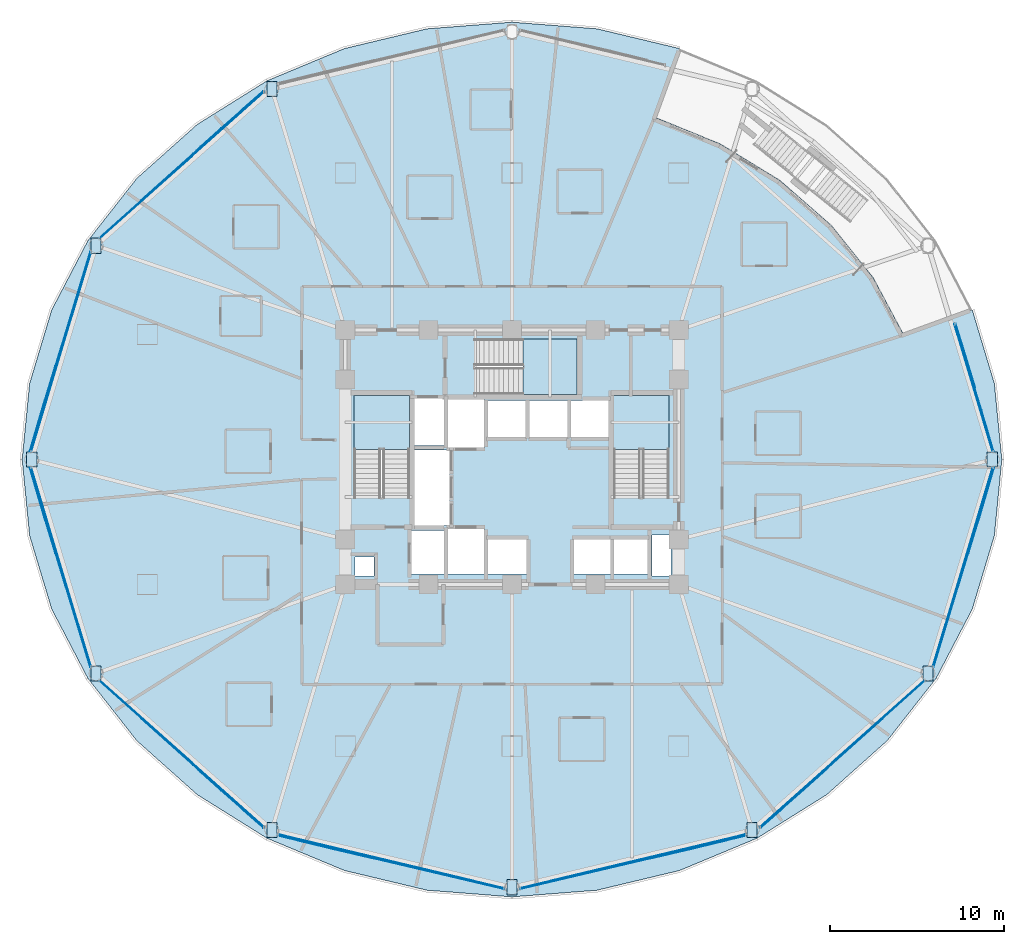
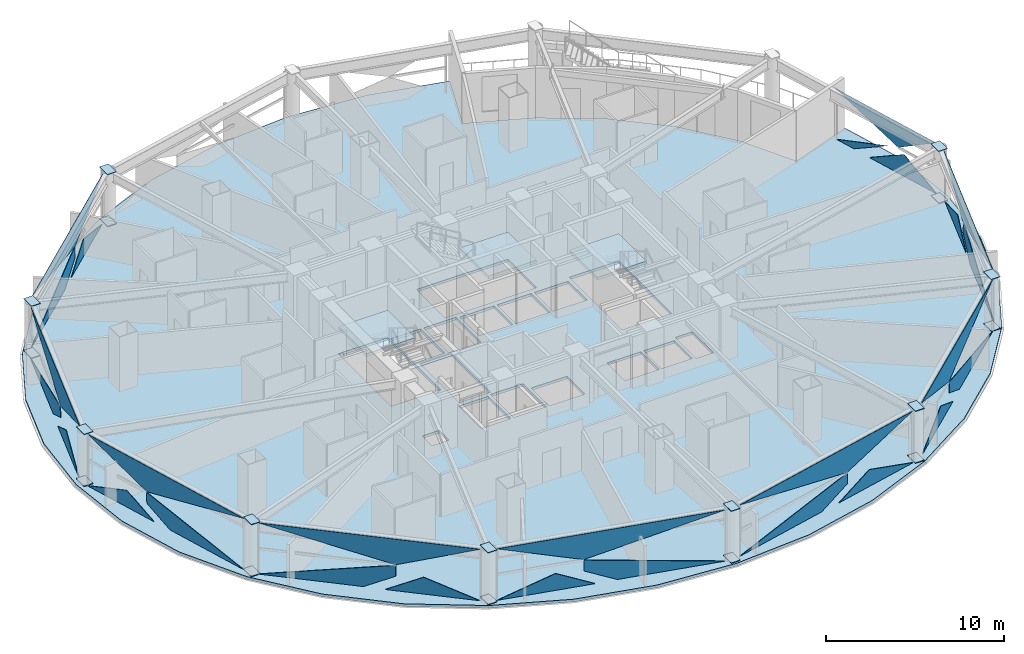
# One storey, part 22 of 33: 45 plates, 4 slabs, 12 elements without a shape of their own.
"""IFC4 building model written with IfcOpenShell, lengths in metres."""

from ifc_helpers import new_model, si_unit, direction, frame, origin, place, context, subcontext, project, spatial, polyline, outline, extrude, material, layer, layer_set, type_object, element, aggregate, save


model = new_model("IFC4")

# Units and contexts
model_context = context("Model", 3, precision=1e-05, world=origin(), true_north=direction((0.0, 1.0)))
body_context = subcontext(model_context, "Body", "Model", "MODEL_VIEW")
ifc_project = project(units=[si_unit("LENGTHUNIT", "METRE"), si_unit("AREAUNIT", "SQUARE_METRE"), si_unit("VOLUMEUNIT", "CUBIC_METRE"), si_unit("PLANEANGLEUNIT", "RADIAN"), si_unit("MASSUNIT", "GRAM", prefix="KILO")], contexts=[model_context])

# Site, building, storey
site_placement = place(None, origin())
site = spatial("IfcSite", under=ifc_project, at=site_placement, CompositionType="ELEMENT")
building_placement = place(site_placement, origin())
building = spatial("IfcBuilding", under=site, at=building_placement, Name="Vantalir Tower", CompositionType="ELEMENT")
storey_placement = place(building_placement, frame((0.0, 0.0, 68.25)))
storey = spatial("IfcBuildingStorey", under=building, at=storey_placement, Name="L16", CompositionType="ELEMENT", Elevation=68.25)

# Curtain wall, plates
ifc_material_1 = material(Name="Champagne-silver PVDF aluminium and double-silver Low-E glass", Category="aluminium")
ifc_layer_1 = layer(ifc_material_1, 0.18994140625)
ifc_layer_set_1 = layer_set([ifc_layer_1], Name="Champagne-silver PVDF aluminium and double-silver Low-E glass")
curtain_wall_type = type_object("IfcCurtainWallType", Name="CW-DIAMOND-Z1", PredefinedType="USERDEFINED", material=ifc_layer_set_1)
curtain_wall_1_placement = place(storey_placement, origin())
curtain_wall_1 = element("IfcCurtainWall", 1, at=curtain_wall_1_placement, inside=storey, type_object=curtain_wall_type, Name="L16 Quilted Pyramid-Diamond Curtain Wall S01", ObjectType="UNITISED CURTAIN WALL", PredefinedType="USERDEFINED")
ifc_material_2 = material(Name="Double-silver Low-E laminated glass IGU", Category="glass")
ifc_layer_2 = layer(ifc_material_2, 0.028076171875)
ifc_layer_set_2 = layer_set([ifc_layer_2], Name="Double-silver Low-E laminated glass IGU")
plate_type_1 = type_object("IfcPlateType", Name="CWP-IGU-28", PredefinedType="CURTAIN_PANEL", material=ifc_layer_set_2)
plate_1_placement = place(storey_placement, frame((59.200439453125, 25.46435546875, 0.04736328125), z_axis=(-0.95758235496, -0.287836918092, 0.013636057083), x_axis=(-0.287864305048, 0.957671206419, -4.7707044e-05)))
plate_1 = element("IfcPlate", 2, at=plate_1_placement, type_object=plate_type_1, Name="CW-L16-S01 Pyramid Diamond Facet 1L", PredefinedType="CURTAIN_PANEL", context=body_context, shape_type="SweptSolid", body=[
    extrude(outline(polyline([(0.0, 0.0), (5.1174963530307105, -1.5178830414797062e-18), (2.4741561968814594, -1.4646096776913675), (0.0, 0.0)])), origin(), (0.0, 0.0, -1.0), 0.028076171875),
])
plate_2_placement = place(storey_placement, frame((57.407470703125, 31.540283203125, 0.046630859375), z_axis=(-0.957612979386, -0.287723165825, 0.013883859633), x_axis=(-0.287750900817, 0.957705288217, 0.0)))
plate_2 = element("IfcPlate", 3, at=plate_2_placement, type_object=plate_type_1, Name="CW-L16-S01 Pyramid Diamond Facet 1L Infill Light", PredefinedType="CURTAIN_PANEL", context=body_context, shape_type="SweptSolid", body=[
    extrude(outline(polyline([(0.0, 0.0), (1.3337545127041526, -1.734723475976807e-18), (-2.5272807636111683, -1.4005256152555619), (0.0, 0.0)])), origin(), (0.0, 0.0, -1.0), 0.028076171875),
])
plate_3_placement = place(storey_placement, frame((56.992919921875, 32.808349609375, 3.52294921875), z_axis=(0.957582322119, 0.287837242564, 0.013631513448), x_axis=(0.287864819696, -0.957671050793, -6.367282e-05)))
plate_3 = element("IfcPlate", 4, at=plate_3_placement, type_object=plate_type_1, Name="CW-L16-S01 Pyramid Diamond Facet 2U", PredefinedType="CURTAIN_PANEL", context=body_context, shape_type="SweptSolid", body=[
    extrude(outline(polyline([(0.0, 0.0), (7.6685978285996415, -7.48099499014998e-18), (4.755277029606987, 1.7244668226657598), (0.0, 0.0)])), origin(), (0.0, 0.0, -1.0), 0.028076171875),
])
aggregate(curtain_wall_1, [plate_1, plate_2, plate_3])

curtain_wall_2_placement = place(storey_placement, origin())
curtain_wall_2 = element("IfcCurtainWall", 5, at=curtain_wall_2_placement, inside=storey, type_object=curtain_wall_type, Name="L16 Quilted Pyramid-Diamond Curtain Wall S05", ObjectType="UNITISED CURTAIN WALL", PredefinedType="USERDEFINED")
plate_4_placement = place(storey_placement, frame((12.233642578125, 41.7275390625, 0.04638671875), z_axis=(0.665423666993, -0.746338988265, 0.013764374386), x_axis=(-0.746409324465, -0.66548712887, -4.0735657e-05)))
plate_4 = element("IfcPlate", 6, at=plate_4_placement, type_object=plate_type_1, Name="CW-L16-S05 Pyramid Diamond Facet 1L", PredefinedType="CURTAIN_PANEL", context=body_context, shape_type="SweptSolid", body=[
    extrude(outline(polyline([(0.0, 0.0), (6.004361291055474, 1.0842021724855044e-19), (-1.8509924539524616, -1.7273831629474516), (-1.8508651218903172, -0.9756025133554906), (0.0, 0.0)])), origin(), (0.0, 0.0, -1.0), 0.028076171875),
])
plate_5_placement = place(storey_placement, frame((17.19677734375, 46.1953125, 0.046142578125), z_axis=(0.665431108125, -0.746333595578, 0.013696877402), x_axis=(-0.74640320129, -0.665493996268, -4.5099891e-05)))
plate_5 = element("IfcPlate", 7, at=plate_5_placement, type_object=plate_type_1, Name="CW-L16-S05 Pyramid Diamond Facet 1L Infill Light", PredefinedType="CURTAIN_PANEL", context=body_context, shape_type="SweptSolid", body=[
    extrude(outline(polyline([(0.0, 0.0), (5.413330672703679, 3.903127820947816e-18), (3.2243671814631387, -1.1540622722201748), (0.0, 0.0)])), origin(), (0.0, 0.0, -1.0), 0.028076171875),
])
plate_6_placement = place(storey_placement, frame((7.751953125, 37.731689453125, 3.523681640625), z_axis=(-0.665419027123, 0.746342264734, 0.013810945468), x_axis=(0.746413277318, 0.665482696299, -1.9250852e-05)))
plate_6 = element("IfcPlate", 8, at=plate_6_placement, type_object=plate_type_1, Name="CW-L16-S05 Pyramid Diamond Facet 2U", PredefinedType="CURTAIN_PANEL", context=body_context, shape_type="SweptSolid", body=[
    extrude(outline(polyline([(0.0, 0.0), (12.682068688732114, -1.0842021724855044e-17), (7.8553164879869835, 1.7273084438367277), (0.0, 0.0)])), origin(), (0.0, 0.0, -1.0), 0.028076171875),
])
aggregate(curtain_wall_2, [plate_4, plate_5, plate_6])

curtain_wall_3_placement = place(storey_placement, origin())
curtain_wall_3 = element("IfcCurtainWall", 9, at=curtain_wall_3_placement, inside=storey, type_object=curtain_wall_type, Name="L16 Quilted Pyramid-Diamond Curtain Wall S06", ObjectType="UNITISED CURTAIN WALL", PredefinedType="USERDEFINED")
plate_7_placement = place(storey_placement, frame((7.25048828125, 36.944580078125, 0.04638671875), z_axis=(0.957576681009, -0.287850126401, 0.013755170625), x_axis=(-0.287877361109, -0.957667283017, -3.4731e-08)))
plate_7 = element("IfcPlate", 10, at=plate_7_placement, type_object=plate_type_1, Name="CW-L16-S06 Pyramid Diamond Facet 1L", PredefinedType="CURTAIN_PANEL", context=body_context, shape_type="SweptSolid", body=[
    extrude(outline(polyline([(0.0, 0.0), (5.65159685830845, 3.469446951953614e-18), (7.428985024710607, -0.9849567229049188), (7.428990635419967, -1.727214249253844), (0.0, 0.0)])), origin(), (0.0, 0.0, -1.0), 0.028076171875),
])
plate_8_placement = place(storey_placement, frame((5.242431640625, 30.375732421875, 0.046142578125), z_axis=(0.957586775864, -0.287814940601, 0.013788642347), x_axis=(-0.28784230515, -0.957677820233, 0.0)))
plate_8 = element("IfcPlate", 11, at=plate_8_placement, type_object=plate_type_1, Name="CW-L16-S06 Pyramid Diamond Facet 1L Infill Light", PredefinedType="CURTAIN_PANEL", context=body_context, shape_type="SweptSolid", body=[
    extrude(outline(polyline([(0.0, 0.0), (5.118735660164931, 0.0), (2.078627143661168, -1.1517208197446445), (0.0, 0.0)])), origin(), (0.0, 0.0, -1.0), 0.028076171875),
])
plate_9_placement = place(storey_placement, frame((3.799560546875, 25.46435546875, 3.5234375), z_axis=(-0.957577938158, 0.287845317985, 0.013768270289), x_axis=(0.287872873101, 0.957668631896, 2.0365962e-05)))
plate_9 = element("IfcPlate", 12, at=plate_9_placement, type_object=plate_type_1, Name="CW-L16-S06 Pyramid Diamond Facet 2U", PredefinedType="CURTAIN_PANEL", context=body_context, shape_type="SweptSolid", body=[
    extrude(outline(polyline([(0.0, 0.0), (11.987679482251043, -3.577867169202165e-18), (4.558653726691837, 1.7270631857070815), (0.0, 0.0)])), origin(), (0.0, 0.0, -1.0), 0.028076171875),
])
aggregate(curtain_wall_3, [plate_7, plate_8, plate_9])

curtain_wall_4_placement = place(storey_placement, origin())
curtain_wall_4 = element("IfcCurtainWall", 13, at=curtain_wall_4_placement, inside=storey, type_object=curtain_wall_type, Name="L16 Quilted Pyramid-Diamond Curtain Wall S07", ObjectType="UNITISED CURTAIN WALL", PredefinedType="USERDEFINED")
plate_10_placement = place(storey_placement, frame((5.62353515625, 18.46728515625, 0.04638671875), z_axis=(0.957584517201, 0.287824691946, 0.013741874836), x_axis=(0.287851871936, -0.957674944761, 1.0698e-08)))
plate_10 = element("IfcPlate", 14, at=plate_10_placement, type_object=plate_type_1, Name="CW-L16-S07 Pyramid Diamond Facet 1L", PredefinedType="CURTAIN_PANEL", context=body_context, shape_type="SweptSolid", body=[
    extrude(outline(polyline([(0.0, 0.0), (5.652064471405549, -3.469446951953614e-18), (-1.7776269930070092, -1.7272138907455583), (-1.777621635824631, -0.9849563642706302), (0.0, 0.0)])), origin(), (0.0, 0.0, -1.0), 0.028076171875),
])
plate_11_placement = place(storey_placement, frame((3.768798828125, 24.5263671875, 0.046142578125), z_axis=(0.957582768054, 0.287832756734, 0.013694760935), x_axis=(0.287859751541, -0.957672576324, 0.0)))
plate_11 = element("IfcPlate", 15, at=plate_11_placement, type_object=plate_type_1, Name="CW-L16-S07 Pyramid Diamond Facet 1L Infill Light", PredefinedType="CURTAIN_PANEL", context=body_context, shape_type="SweptSolid", body=[
    extrude(outline(polyline([(0.0, 0.0), (5.1192735511378515, -3.469446951953614e-18), (3.0404123117351816, -1.1517193336410552), (0.0, 0.0)])), origin(), (0.0, 0.0, -1.0), 0.028076171875),
])
plate_12_placement = place(storey_placement, frame((7.25048828125, 13.054443359375, 3.523681640625), z_axis=(-0.957584966924, -0.287822947677, 0.013747069214), x_axis=(-0.287850416265, 0.95767538208, -2.0364373e-05)))
plate_12 = element("IfcPlate", 16, at=plate_12_placement, type_object=plate_type_1, Name="CW-L16-S07 Pyramid Diamond Facet 2U", PredefinedType="CURTAIN_PANEL", context=body_context, shape_type="SweptSolid", body=[
    extrude(outline(polyline([(0.0, 0.0), (11.988614708820492, -7.128629284092192e-18), (7.429726615576419, 1.7270626793964259), (0.0, 0.0)])), origin(), (0.0, 0.0, -1.0), 0.028076171875),
])
aggregate(curtain_wall_4, [plate_10, plate_11, plate_12])

curtain_wall_5_placement = place(storey_placement, origin())
curtain_wall_5 = element("IfcCurtainWall", 17, at=curtain_wall_5_placement, inside=storey, type_object=curtain_wall_type, Name="L16 Quilted Pyramid-Diamond Curtain Wall S08", ObjectType="UNITISED CURTAIN WALL", PredefinedType="USERDEFINED")
plate_13_placement = place(storey_placement, frame((7.751953125, 12.267333984375, 0.046142578125), z_axis=(0.665395591531, 0.746365202565, 0.013700042756), x_axis=(0.746434886249, -0.665458457723, 4.0432099e-05)))
plate_13 = element("IfcPlate", 18, at=plate_13_placement, type_object=plate_type_1, Name="CW-L16-S08 Pyramid Diamond Facet 1L", PredefinedType="CURTAIN_PANEL", context=body_context, shape_type="SweptSolid", body=[
    extrude(outline(polyline([(0.0, 0.0), (6.004036354479843, 4.933119884809045e-18), (7.854900664328473, -0.9756040492330789), (7.854864904027324, -1.7273822052064762), (0.0, 0.0)])), origin(), (0.0, 0.0, -1.0), 0.028076171875),
])
plate_14_placement = place(storey_placement, frame((13.15625, 7.40673828125, 0.0458984375), z_axis=(0.665381132365, 0.746378704576, 0.013666676587), x_axis=(0.746448006942, -0.665443739844, 4.5102599e-05)))
plate_14 = element("IfcPlate", 19, at=plate_14_placement, type_object=plate_type_1, Name="CW-L16-S08 Pyramid Diamond Facet 1L Infill Light", PredefinedType="CURTAIN_PANEL", context=body_context, shape_type="SweptSolid", body=[
    extrude(outline(polyline([(0.0, 0.0), (5.413005736732579, 4.9873299934333204e-18), (2.188799963272718, -1.1540617967211773), (0.0, 0.0)])), origin(), (0.0, 0.0, -1.0), 0.028076171875),
])
plate_15_placement = place(storey_placement, frame((17.218017578125, 3.82861328125, 3.5234375), z_axis=(-0.665376633038, -0.746381077639, 0.013755840561), x_axis=(-0.746451527572, 0.665439791879, 1.9251838e-05)))
plate_15 = element("IfcPlate", 20, at=plate_15_placement, type_object=plate_type_1, Name="CW-L16-S08 Pyramid Diamond Facet 2U", PredefinedType="CURTAIN_PANEL", context=body_context, shape_type="SweptSolid", body=[
    extrude(outline(polyline([(0.0, 0.0), (12.681418824235399, -1.3552527156068805e-17), (4.826591101393848, 1.7273071333012815), (0.0, 0.0)])), origin(), (0.0, 0.0, -1.0), 0.028076171875),
])
aggregate(curtain_wall_5, [plate_13, plate_14, plate_15])

curtain_wall_6_placement = place(storey_placement, origin())
curtain_wall_6 = element("IfcCurtainWall", 21, at=curtain_wall_6_placement, inside=storey, type_object=curtain_wall_type, Name="L16 Quilted Pyramid-Diamond Curtain Wall S09", ObjectType="UNITISED CURTAIN WALL", PredefinedType="USERDEFINED")
plate_16_placement = place(storey_placement, frame((24.892822265625, 1.75927734375, 0.04638671875), z_axis=(0.232286835251, 0.972551419438, 0.013658796357), x_axis=(0.972642274081, -0.232307996417, -3.8364666e-05)))
plate_16 = element("IfcPlate", 22, at=plate_16_placement, type_object=plate_type_1, Name="CW-L16-S09 Pyramid Diamond Facet 1L", PredefinedType="CURTAIN_PANEL", context=body_context, shape_type="SweptSolid", body=[
    extrude(outline(polyline([(0.0, 0.0), (6.308109846381332, -1.4907779871675686e-18), (-1.9600709419821365, -1.7276250290315844), (-1.9601738726186664, -0.9834171076666661), (0.0, 0.0)])), origin(), (0.0, 0.0, -1.0), 0.028076171875),
])
plate_17_placement = place(storey_placement, frame((18.044189453125, 3.3623046875, 0.0458984375), z_axis=(0.232335382522, 0.972538922538, 0.013722761297), x_axis=(0.972630506907, -0.232357261635, 0.0)))
plate_17 = element("IfcPlate", 23, at=plate_17_placement, type_object=plate_type_1, Name="CW-L16-S09 Pyramid Diamond Facet 1L Infill Light", PredefinedType="CURTAIN_PANEL", context=body_context, shape_type="SweptSolid", body=[
    extrude(outline(polyline([(0.0, 0.0), (5.719026866318455, 3.469446951953614e-18), (3.4070062303724744, -1.1602655023656243), (0.0, 0.0)])), origin(), (0.0, 0.0, -1.0), 0.028076171875),
])
plate_18_placement = place(storey_placement, frame((31.0283203125, 0.293701171875, 3.523681640625), z_axis=(-0.232304694327, -0.972547189106, 0.013656278975), x_axis=(-0.972637888879, 0.232326359068, 0.0)))
plate_18 = element("IfcPlate", 24, at=plate_18_placement, type_object=plate_type_1, Name="CW-L16-S09 Pyramid Diamond Facet 2U", PredefinedType="CURTAIN_PANEL", context=body_context, shape_type="SweptSolid", body=[
    extrude(outline(polyline([(0.0, 0.0), (13.34161731552791, -6.938893903907228e-18), (8.268114064602244, 1.7279443362249733), (0.0, 0.0)])), origin(), (0.0, 0.0, -1.0), 0.028076171875),
])
aggregate(curtain_wall_6, [plate_16, plate_17, plate_18])

curtain_wall_7_placement = place(storey_placement, origin())
curtain_wall_7 = element("IfcCurtainWall", 25, at=curtain_wall_7_placement, inside=storey, type_object=curtain_wall_type, Name="L16 Quilted Pyramid-Diamond Curtain Wall S10", ObjectType="UNITISED CURTAIN WALL", PredefinedType="USERDEFINED")
plate_19_placement = place(storey_placement, frame((31.9716796875, 0.293701171875, 0.046142578125), z_axis=(-0.232286835251, 0.972551419438, 0.013658796357), x_axis=(0.972642274081, 0.232307996417, 3.8364666e-05)))
plate_19 = element("IfcPlate", 26, at=plate_19_placement, type_object=plate_type_1, Name="CW-L16-S10 Pyramid Diamond Facet 1L", PredefinedType="CURTAIN_PANEL", context=body_context, shape_type="SweptSolid", body=[
    extrude(outline(polyline([(0.0, 0.0), (6.308109846381332, 1.4907779871675686e-18), (8.268283719, -0.9834171076666661), (8.26818078836347, -1.7276250290315844), (0.0, 0.0)])), origin(), (0.0, 0.0, -1.0), 0.028076171875),
])
plate_20_placement = place(storey_placement, frame((39.393310546875, 2.033447265625, 0.0458984375), z_axis=(-0.232335382522, 0.972538922538, 0.013722761297), x_axis=(0.972630506907, 0.232357261635, 0.0)))
plate_20 = element("IfcPlate", 27, at=plate_20_placement, type_object=plate_type_1, Name="CW-L16-S10 Pyramid Diamond Facet 1L Infill Light", PredefinedType="CURTAIN_PANEL", context=body_context, shape_type="SweptSolid", body=[
    extrude(outline(polyline([(0.0, 0.0), (5.719026866318455, -3.469446951953614e-18), (2.3120206359459794, -1.1602655023656243), (0.0, 0.0)])), origin(), (0.0, 0.0, -1.0), 0.028076171875),
])
plate_21_placement = place(storey_placement, frame((44.9482421875, 3.393310546875, 3.523681640625), z_axis=(0.232304694327, -0.972547189106, 0.013656278975), x_axis=(-0.972637888879, -0.232326359068, 0.0)))
plate_21 = element("IfcPlate", 28, at=plate_21_placement, type_object=plate_type_1, Name="CW-L16-S10 Pyramid Diamond Facet 2U", PredefinedType="CURTAIN_PANEL", context=body_context, shape_type="SweptSolid", body=[
    extrude(outline(polyline([(0.0, 0.0), (13.34161731552791, 6.938893903907228e-18), (5.073503250925667, 1.7279443362249733), (0.0, 0.0)])), origin(), (0.0, 0.0, -1.0), 0.028076171875),
])
aggregate(curtain_wall_7, [plate_19, plate_20, plate_21])

curtain_wall_8_placement = place(storey_placement, origin())
curtain_wall_8 = element("IfcCurtainWall", 29, at=curtain_wall_8_placement, inside=storey, type_object=curtain_wall_type, Name="L16 Quilted Pyramid-Diamond Curtain Wall S11", ObjectType="UNITISED CURTAIN WALL", PredefinedType="USERDEFINED")
plate_22_placement = place(storey_placement, frame((50.766357421875, 8.27197265625, 0.04638671875), z_axis=(-0.665395591531, 0.746365202565, 0.013700042756), x_axis=(0.746434886249, 0.665458457723, -4.0432099e-05)))
plate_22 = element("IfcPlate", 30, at=plate_22_placement, type_object=plate_type_1, Name="CW-L16-S11 Pyramid Diamond Facet 1L", PredefinedType="CURTAIN_PANEL", context=body_context, shape_type="SweptSolid", body=[
    extrude(outline(polyline([(0.0, 0.0), (6.004036354479843, -4.933119884809045e-18), (-1.8508285495474808, -1.7273822052064762), (-1.8508643098486302, -0.9756040492330789), (0.0, 0.0)])), origin(), (0.0, 0.0, -1.0), 0.028076171875),
])
plate_23_placement = place(storey_placement, frame((45.80322265625, 3.8046875, 0.046142578125), z_axis=(-0.665381132365, 0.746378704576, 0.013666676587), x_axis=(0.746448006942, 0.665443739844, -4.5102599e-05)))
plate_23 = element("IfcPlate", 31, at=plate_23_placement, type_object=plate_type_1, Name="CW-L16-S11 Pyramid Diamond Facet 1L Infill Light", PredefinedType="CURTAIN_PANEL", context=body_context, shape_type="SweptSolid", body=[
    extrude(outline(polyline([(0.0, 0.0), (5.413005736732579, -4.9873299934333204e-18), (3.2242057734598615, -1.1540617967211773), (0.0, 0.0)])), origin(), (0.0, 0.0, -1.0), 0.028076171875),
])
plate_24_placement = place(storey_placement, frame((55.248046875, 12.267333984375, 3.523681640625), z_axis=(0.665376633038, -0.746381077639, 0.013755840561), x_axis=(-0.746451527572, -0.665439791879, -1.9251838e-05)))
plate_24 = element("IfcPlate", 32, at=plate_24_placement, type_object=plate_type_1, Name="CW-L16-S11 Pyramid Diamond Facet 2U", PredefinedType="CURTAIN_PANEL", context=body_context, shape_type="SweptSolid", body=[
    extrude(outline(polyline([(0.0, 0.0), (12.681418824235399, 1.3552527156068805e-17), (7.854827722841549, 1.7273071333012815), (0.0, 0.0)])), origin(), (0.0, 0.0, -1.0), 0.028076171875),
])
aggregate(curtain_wall_8, [plate_22, plate_23, plate_24])

curtain_wall_9_placement = place(storey_placement, origin())
curtain_wall_9 = element("IfcCurtainWall", 33, at=curtain_wall_9_placement, inside=storey, type_object=curtain_wall_type, Name="L16 Quilted Pyramid-Diamond Curtain Wall S12", ObjectType="UNITISED CURTAIN WALL", PredefinedType="USERDEFINED")
plate_25_placement = place(storey_placement, frame((55.74951171875, 13.054443359375, 0.04638671875), z_axis=(-0.957584517201, 0.287824691946, 0.013741874836), x_axis=(0.287851871936, 0.957674944761, -1.0698e-08)))
plate_25 = element("IfcPlate", 34, at=plate_25_placement, type_object=plate_type_1, Name="CW-L16-S12 Pyramid Diamond Facet 1L", PredefinedType="CURTAIN_PANEL", context=body_context, shape_type="SweptSolid", body=[
    extrude(outline(polyline([(0.0, 0.0), (5.652064471405549, 3.469446951953614e-18), (7.429686107230179, -0.9849563642706302), (7.429691464412557, -1.7272138907455583), (0.0, 0.0)])), origin(), (0.0, 0.0, -1.0), 0.028076171875),
])
plate_26_placement = place(storey_placement, frame((57.757568359375, 19.623779296875, 0.046142578125), z_axis=(-0.957582768054, 0.287832756734, 0.013694760935), x_axis=(0.287859751541, 0.957672576324, 0.0)))
plate_26 = element("IfcPlate", 35, at=plate_26_placement, type_object=plate_type_1, Name="CW-L16-S12 Pyramid Diamond Facet 1L Infill Light", PredefinedType="CURTAIN_PANEL", context=body_context, shape_type="SweptSolid", body=[
    extrude(outline(polyline([(0.0, 0.0), (5.1192735511378515, 3.469446951953614e-18), (2.07886123940267, -1.1517193336410552), (0.0, 0.0)])), origin(), (0.0, 0.0, -1.0), 0.028076171875),
])
plate_27_placement = place(storey_placement, frame((59.200439453125, 24.53564453125, 3.5234375), z_axis=(0.957584966924, -0.287822947677, 0.013747069214), x_axis=(-0.287850416265, -0.95767538208, 2.0364373e-05)))
plate_27 = element("IfcPlate", 36, at=plate_27_placement, type_object=plate_type_1, Name="CW-L16-S12 Pyramid Diamond Facet 2U", PredefinedType="CURTAIN_PANEL", context=body_context, shape_type="SweptSolid", body=[
    extrude(outline(polyline([(0.0, 0.0), (11.988614708820492, 7.128629284092192e-18), (4.558888093244074, 1.7270626793964259), (0.0, 0.0)])), origin(), (0.0, 0.0, -1.0), 0.028076171875),
])
aggregate(curtain_wall_9, [plate_25, plate_26, plate_27])

# Plates
ifc_material_3 = material(Name="Steel S460", Category="steel")
ifc_layer_3 = layer(ifc_material_3, 0.035888671875)
ifc_layer_set_3 = layer_set([ifc_layer_3], Name="Steel S460")
plate_type_2 = type_object("IfcPlateType", Name="PLT-KN-Z2", PredefinedType="USERDEFINED", material=ifc_layer_set_3)
for number, where, z_axis, x_axis, name in (
    (37, (58.860107421875, 25.43994140625, 3.597900390625), (0.0, 0.0, 1.0), (0.0, -1.0, 0.0), "L16 Ring Column Top Cap RC01"),
    (38, (58.860107421875, 25.43994140625, 0.052978515625), (0.0, 0.0, 1.0), (0.0, -1.0, 0.0), "L16 Ring Column Base Cap RC01"),
):
    element("IfcPlate", number, at=place(storey_placement, frame(where, z_axis=z_axis, x_axis=x_axis)), inside=storey, type_object=plate_type_2, Name=name, ObjectType="FLANGE_PLATE", PredefinedType="USERDEFINED", context=body_context, shape_type="SweptSolid", body=[
        extrude(outline(polyline([(0.0, 0.0), (0.8798828125, 0.0), (0.8798828125, 0.579833984375), (0.0, 0.579833984375), (0.0, 0.0)])), origin(), (0.0, 0.0, -1.0), 0.035888671875),
    ])
for number, where, z_axis, x_axis, name in (
    (39, (17.385009765625, 46.76904296875, 3.597900390625), (0.0, 0.0, 1.0), (0.0, -1.0, 0.0), "L16 Ring Column Top Cap RC05"),
    (40, (17.385009765625, 46.76904296875, 0.052978515625), (0.0, 0.0, 1.0), (0.0, -1.0, 0.0), "L16 Ring Column Base Cap RC05"),
):
    element("IfcPlate", number, at=place(storey_placement, frame(where, z_axis=z_axis, x_axis=x_axis)), inside=storey, type_object=plate_type_2, Name=name, ObjectType="FLANGE_PLATE", PredefinedType="USERDEFINED", context=body_context, shape_type="SweptSolid", body=[
        extrude(outline(polyline([(0.0, 0.0), (0.880126953125, 0.0), (0.880126953125, 0.580078125), (0.0, 0.580078125), (0.0, 0.0)])), origin(), (0.0, 0.0, -1.0), 0.035888671875),
    ])
for number, where, z_axis, x_axis, name in (
    (41, (7.263916015625, 37.75390625, 3.597900390625), (0.0, 0.0, 1.0), (0.0, -1.0, 0.0), "L16 Ring Column Top Cap RC06"),
    (42, (7.263916015625, 37.75390625, 0.052978515625), (0.0, 0.0, 1.0), (0.0, -1.0, 0.0), "L16 Ring Column Base Cap RC06"),
):
    element("IfcPlate", number, at=place(storey_placement, frame(where, z_axis=z_axis, x_axis=x_axis)), inside=storey, type_object=plate_type_2, Name=name, ObjectType="FLANGE_PLATE", PredefinedType="USERDEFINED", context=body_context, shape_type="SweptSolid", body=[
        extrude(outline(polyline([(0.0, 0.0), (0.8798828125, 0.0), (0.8798828125, 0.580078125), (0.0, 0.580078125), (0.0, 0.0)])), origin(), (0.0, 0.0, -1.0), 0.035888671875),
    ])
for number, where, z_axis, x_axis, name in (
    (43, (3.56005859375, 25.43994140625, 3.597900390625), (0.0, 0.0, 1.0), (0.0, -1.0, 0.0), "L16 Ring Column Top Cap RC07"),
    (44, (3.56005859375, 25.43994140625, 0.052978515625), (0.0, 0.0, 1.0), (0.0, -1.0, 0.0), "L16 Ring Column Base Cap RC07"),
):
    element("IfcPlate", number, at=place(storey_placement, frame(where, z_axis=z_axis, x_axis=x_axis)), inside=storey, type_object=plate_type_2, Name=name, ObjectType="FLANGE_PLATE", PredefinedType="USERDEFINED", context=body_context, shape_type="SweptSolid", body=[
        extrude(outline(polyline([(0.0, 0.0), (0.8798828125, 0.0), (0.8798828125, 0.579833984375), (0.0, 0.579833984375), (0.0, 0.0)])), origin(), (0.0, 0.0, -1.0), 0.035888671875),
    ])
for number, where, z_axis, x_axis, name in (
    (45, (7.263916015625, 13.125, 3.597900390625), (0.0, 0.0, 1.0), (0.0, -1.0, 0.0), "L16 Ring Column Top Cap RC08"),
    (46, (7.263916015625, 13.125, 0.052978515625), (0.0, 0.0, 1.0), (0.0, -1.0, 0.0), "L16 Ring Column Base Cap RC08"),
):
    element("IfcPlate", number, at=place(storey_placement, frame(where, z_axis=z_axis, x_axis=x_axis)), inside=storey, type_object=plate_type_2, Name=name, ObjectType="FLANGE_PLATE", PredefinedType="USERDEFINED", context=body_context, shape_type="SweptSolid", body=[
        extrude(outline(polyline([(0.0, 0.0), (0.8798828125, 0.0), (0.8798828125, 0.580078125), (0.0, 0.580078125), (0.0, 0.0)])), origin(), (0.0, 0.0, -1.0), 0.035888671875),
    ])
for number, where, z_axis, x_axis, name in (
    (47, (17.385009765625, 4.111083984375, 3.597900390625), (0.0, 0.0, 1.0), (0.0, -1.0, 0.0), "L16 Ring Column Top Cap RC09"),
    (48, (17.385009765625, 4.111083984375, 0.052978515625), (0.0, 0.0, 1.0), (0.0, -1.0, 0.0), "L16 Ring Column Base Cap RC09"),
    (49, (31.2099609375, 0.81103515625, 3.597900390625), (0.0, 0.0, 1.0), (0.0, -1.0, 0.0), "L16 Ring Column Top Cap RC10"),
    (50, (31.2099609375, 0.81103515625, 0.052978515625), (0.0, 0.0, 1.0), (0.0, -1.0, 0.0), "L16 Ring Column Base Cap RC10"),
    (51, (45.034912109375, 4.111083984375, 3.597900390625), (0.0, 0.0, 1.0), (0.0, -1.0, 0.0), "L16 Ring Column Top Cap RC11"),
    (52, (45.034912109375, 4.111083984375, 0.052978515625), (0.0, 0.0, 1.0), (0.0, -1.0, 0.0), "L16 Ring Column Base Cap RC11"),
):
    element("IfcPlate", number, at=place(storey_placement, frame(where, z_axis=z_axis, x_axis=x_axis)), inside=storey, type_object=plate_type_2, Name=name, ObjectType="FLANGE_PLATE", PredefinedType="USERDEFINED", context=body_context, shape_type="SweptSolid", body=[
        extrude(outline(polyline([(0.0, 0.0), (0.880126953125, 0.0), (0.880126953125, 0.580078125), (0.0, 0.580078125), (0.0, 0.0)])), origin(), (0.0, 0.0, -1.0), 0.035888671875),
    ])
for number, where, z_axis, x_axis, name in (
    (53, (55.156005859375, 13.125, 3.597900390625), (0.0, 0.0, 1.0), (0.0, -1.0, 0.0), "L16 Ring Column Top Cap RC12"),
    (54, (55.156005859375, 13.125, 0.052978515625), (0.0, 0.0, 1.0), (0.0, -1.0, 0.0), "L16 Ring Column Base Cap RC12"),
):
    element("IfcPlate", number, at=place(storey_placement, frame(where, z_axis=z_axis, x_axis=x_axis)), inside=storey, type_object=plate_type_2, Name=name, ObjectType="FLANGE_PLATE", PredefinedType="USERDEFINED", context=body_context, shape_type="SweptSolid", body=[
        extrude(outline(polyline([(0.0, 0.0), (0.8798828125, 0.0), (0.8798828125, 0.580078125), (0.0, 0.580078125), (0.0, 0.0)])), origin(), (0.0, 0.0, -1.0), 0.035888671875),
    ])

# Stair, slab
ifc_material_4 = material(Name="Concrete C40/50", Category="concrete")
stair_type = type_object("IfcStairType", Name="STR-CORE-1450", PredefinedType="HALF_TURN_STAIR", material=ifc_material_4)
stair_1_placement = place(storey_placement, origin())
stair_1 = element("IfcStair", 55, at=stair_1_placement, inside=storey, type_object=stair_type, Name="L16 Core Exit Stair 1", PredefinedType="HALF_TURN_STAIR")
ifc_layer_4 = layer(ifc_material_4, 0.199951171875)
ifc_layer_set_4 = layer_set([ifc_layer_4], Name="Concrete C40/50")
slab_type_1 = type_object("IfcSlabType", Name="SL-LAND-200", PredefinedType="LANDING", material=ifc_layer_set_4)
slab_1_placement = place(storey_placement, frame((0.0, 0.0, 1.675048828125)))
slab_1 = element("IfcSlab", 56, at=slab_1_placement, type_object=slab_type_1, Name="ST1 landing 1", PredefinedType="LANDING", context=body_context, shape_type="SweptSolid", body=[
    extrude(outline(polyline([(25.60009765625, 25.590087890625), (25.60009765625, 28.699951171875), (22.39990234375, 28.699951171875), (22.39990234375, 25.590087890625), (25.60009765625, 25.590087890625)])), origin(), (0.0, 0.0, 1.0), 0.199951171875),
])
aggregate(stair_1, [slab_1])

stair_2_placement = place(storey_placement, origin())
stair_2 = element("IfcStair", 57, at=stair_2_placement, inside=storey, type_object=stair_type, Name="L16 Core Exit Stair 2", PredefinedType="HALF_TURN_STAIR")
slab_2_placement = place(storey_placement, frame((0.0, 0.0, 1.675048828125)))
slab_2 = element("IfcSlab", 58, at=slab_2_placement, type_object=slab_type_1, Name="ST2 landing 1", PredefinedType="LANDING", context=body_context, shape_type="SweptSolid", body=[
    extrude(outline(polyline([(40.550048828125, 25.590087890625), (40.550048828125, 28.699951171875), (37.35009765625, 28.699951171875), (37.35009765625, 25.590087890625), (40.550048828125, 25.590087890625)])), origin(), (0.0, 0.0, 1.0), 0.199951171875),
])
aggregate(stair_2, [slab_2])

stair_3_placement = place(storey_placement, origin())
stair_3 = element("IfcStair", 59, at=stair_3_placement, inside=storey, type_object=stair_type, Name="L16 Core Exit Stair 3", PredefinedType="HALF_TURN_STAIR")
slab_3_placement = place(storey_placement, frame((0.0, 0.0, 1.675048828125)))
slab_3 = element("IfcSlab", 60, at=slab_3_placement, type_object=slab_type_1, Name="ST3 landing 1", PredefinedType="LANDING", context=body_context, shape_type="SweptSolid", body=[
    extrude(outline(polyline([(32.139892578125, 28.75), (35.25, 28.75), (35.25, 31.949951171875), (32.139892578125, 31.949951171875), (32.139892578125, 28.75)])), origin(), (0.0, 0.0, 1.0), 0.199951171875),
])
aggregate(stair_3, [slab_3])

# Slab
ifc_layer_5 = layer(ifc_material_4, 0.179931640625)
ifc_layer_set_5 = layer_set([ifc_layer_5], Name="Concrete C40/50")
slab_type_2 = type_object("IfcSlabType", Name="SL-TWR-180", PredefinedType="FLOOR", material=ifc_layer_set_5)
slab_4_placement = place(storey_placement, frame((0.0, 0.0, -0.179931640625)))
element("IfcSlab", 61, at=slab_4_placement, inside=storey, type_object=slab_type_2, Name="L16 Primary Structural Slab", PredefinedType="FLOOR", context=body_context, shape_type="SweptSolid", body=[
    extrude(outline(polyline([(7.077880859375, 12.409912109375), (9.89794921875, 8.81494140625), (13.373046875, 5.7119140625), (17.39990234375, 3.194091796875), (21.85498046875, 1.339111328125), (26.60302734375, 0.2041015625), (31.5, -0.178955078125), (36.39697265625, 0.2041015625), (41.14501953125, 1.339111328125), (45.60009765625, 3.194091796875), (49.626953125, 5.7119140625), (53.10205078125, 8.81494140625), (55.922119140625, 12.409912109375), (57.9990234375, 16.387939453125), (59.27197265625, 20.6279296875), (59.699951171875, 25.0), (59.27197265625, 29.3720703125), (57.9990234375, 33.612060546875), (54.052978515625, 32.175048828125), (52.284912109375, 35.489013671875), (49.885009765625, 38.485107421875), (46.927001953125, 41.071044921875), (43.5, 43.16796875), (39.7080078125, 44.714111328125), (41.14501953125, 48.660888671875), (36.39697265625, 49.7958984375), (31.5, 50.178955078125), (26.60302734375, 49.7958984375), (21.85498046875, 48.660888671875), (17.39990234375, 46.805908203125), (13.373046875, 44.2880859375), (9.89794921875, 41.18505859375), (7.077880859375, 37.589111328125), (5.0009765625, 33.612060546875), (3.72802734375, 29.3720703125), (3.300048828125, 25.0), (3.72802734375, 20.6279296875), (5.0009765625, 16.387939453125), (7.077880859375, 12.409912109375)]), holes=[polyline([(22.39990234375, 22.7900390625), (22.39990234375, 28.699951171875), (25.60009765625, 28.699951171875), (25.60009765625, 22.7900390625), (22.39990234375, 22.7900390625)]), polyline([(37.35009765625, 28.699951171875), (40.550048828125, 28.699951171875), (40.550048828125, 22.7900390625), (37.35009765625, 22.7900390625), (37.35009765625, 28.699951171875)]), polyline([(35.25, 28.75), (29.340087890625, 28.75), (29.340087890625, 31.949951171875), (35.25, 31.949951171875), (35.25, 28.75)]), polyline([(27.60009765625, 18.39990234375), (25.699951171875, 18.39990234375), (25.699951171875, 20.89990234375), (27.60009765625, 20.89990234375), (27.60009765625, 18.39990234375)]), polyline([(25.699951171875, 25.800048828125), (25.699951171875, 28.5), (27.60009765625, 28.5), (27.60009765625, 25.800048828125), (25.699951171875, 25.800048828125)]), polyline([(27.800048828125, 21.0), (29.89990234375, 21.0), (29.89990234375, 18.39990234375), (27.800048828125, 18.39990234375), (27.800048828125, 21.0)]), polyline([(29.89990234375, 28.5), (29.89990234375, 25.699951171875), (27.800048828125, 25.699951171875), (27.800048828125, 28.5), (29.89990234375, 28.5)]), polyline([(32.39990234375, 18.39990234375), (30.10009765625, 18.39990234375), (30.10009765625, 20.39990234375), (32.39990234375, 20.39990234375), (32.39990234375, 18.39990234375)]), polyline([(37.35009765625, 18.39990234375), (37.35009765625, 20.39990234375), (39.35009765625, 20.39990234375), (39.35009765625, 18.39990234375), (37.35009765625, 18.39990234375)]), polyline([(35.0, 20.39990234375), (37.199951171875, 20.39990234375), (37.199951171875, 18.39990234375), (35.0, 18.39990234375), (35.0, 20.39990234375)]), polyline([(32.300048828125, 28.39990234375), (32.300048828125, 26.300048828125), (30.10009765625, 26.300048828125), (30.10009765625, 28.39990234375), (32.300048828125, 28.39990234375)]), polyline([(34.699951171875, 26.300048828125), (32.5, 26.300048828125), (32.5, 28.39990234375), (34.699951171875, 28.39990234375), (34.699951171875, 26.300048828125)]), polyline([(34.89990234375, 26.300048828125), (34.89990234375, 28.39990234375), (37.10009765625, 28.39990234375), (37.10009765625, 26.300048828125), (34.89990234375, 26.300048828125)]), polyline([(25.889892578125, 25.56005859375), (27.89990234375, 25.56005859375), (27.89990234375, 21.199951171875), (25.889892578125, 21.199951171875), (25.889892578125, 25.56005859375)]), polyline([(23.550048828125, 19.39990234375), (23.550048828125, 18.300048828125), (22.449951171875, 18.300048828125), (22.449951171875, 19.39990234375), (23.550048828125, 19.39990234375)]), polyline([(40.64990234375, 18.300048828125), (39.550048828125, 18.300048828125), (39.550048828125, 20.64990234375), (40.64990234375, 20.64990234375), (40.64990234375, 18.300048828125)])]), origin(), (0.0, 0.0, 1.0), 0.179931640625),
])

save(model, "model.ifc")
